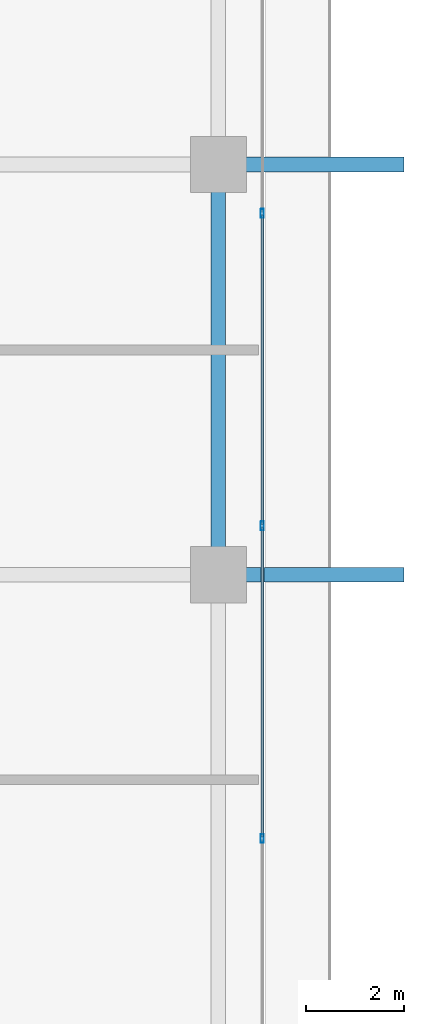
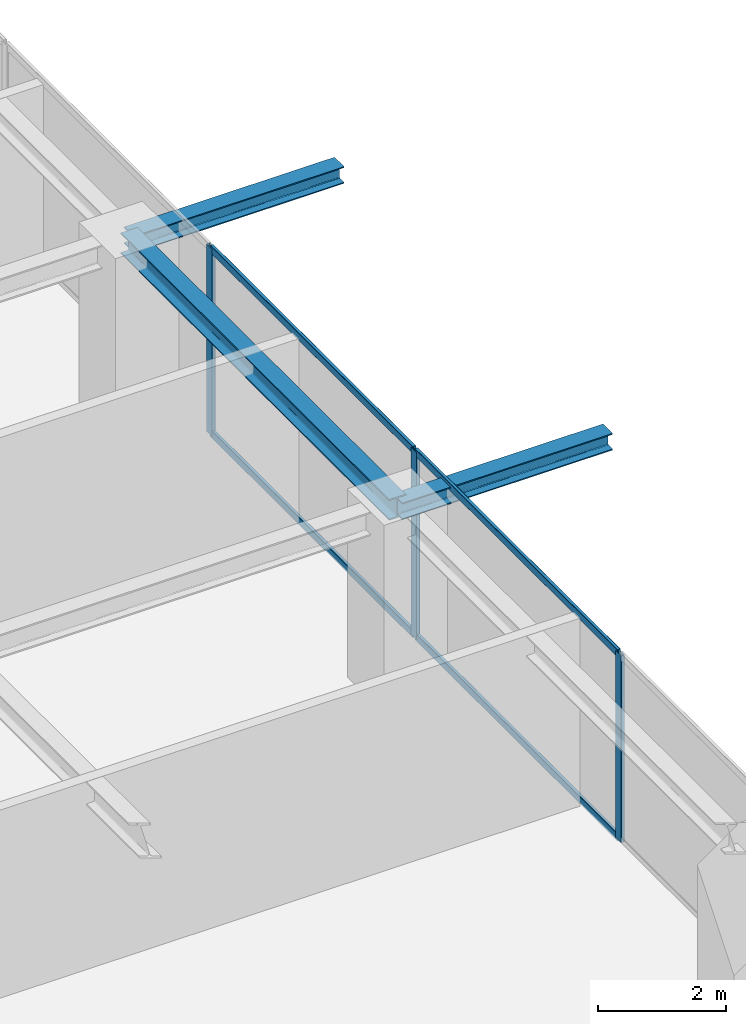
# One storey, part 16 of 36: 7 members, 3 beams, 1 element without a shape of its own.
"""IFC4 building model written with IfcOpenShell, lengths in metres."""

from ifc_helpers import new_model, si_unit, direction, frame, origin, origin_2d, place, context, subcontext, project, spatial, hollow_rectangle, i_section, extrude, source, transform, mapped, material, layer, layer_set, material_profile, profile_set, type_object, element, aggregate, save


model = new_model("IFC4")

# Units and contexts
model_context = context("Model", 3, precision=1e-05, world=origin(), true_north=direction((0.0, 1.0)))
body_context = subcontext(model_context, "Body", "Model", "MODEL_VIEW")
ifc_project = project(units=[si_unit("LENGTHUNIT", "METRE"), si_unit("AREAUNIT", "SQUARE_METRE"), si_unit("VOLUMEUNIT", "CUBIC_METRE"), si_unit("PLANEANGLEUNIT", "RADIAN"), si_unit("MASSUNIT", "GRAM", prefix="KILO")], contexts=[model_context])

# Site, building, storey
site_placement = place(None, origin())
site = spatial("IfcSite", under=ifc_project, at=site_placement, CompositionType="ELEMENT")
building_placement = place(site_placement, origin())
building = spatial("IfcBuilding", under=site, at=building_placement, Name="Serunith Strait Residences", CompositionType="ELEMENT")
storey_placement = place(building_placement, frame((0.0, 0.0, 272.050048828125)))
storey = spatial("IfcBuildingStorey", under=building, at=storey_placement, Name="L68", CompositionType="ELEMENT", Elevation=272.050048828125)

# Beams
ifc_material_1 = material(Name="Steel S355J2", Category="steel")
ifc_material_profile_1 = material_profile(ifc_material_1, i_section(OverallWidth=0.300048828125, OverallDepth=0.39990234375, WebThickness=0.013427734375, FlangeThickness=0.02392578125, FilletRadius=0.027099609375, at=origin_2d()), Name="HEB 400")
ifc_profile_set_1 = profile_set([ifc_material_profile_1], Name="Steel S355J2")
beam_type_1 = type_object("IfcBeamType", Name="BM-HEB400", PredefinedType="BEAM", material=ifc_profile_set_1)
shared_shape_1 = source(origin(), body_context, "Body", "SweptSolid", [
    extrude(i_section(OverallWidth=0.300048828125, OverallDepth=0.39990234375, WebThickness=0.013427734375, FlangeThickness=0.02392578125, FilletRadius=0.027099609375, at=origin_2d()), origin(), (0.0, 0.0, 1.0), 8.39990234375),
])
beam_placement = place(storey_placement, frame((56.5, 21.0, 3.386962890625), z_axis=(0.0, 1.0, 0.0), x_axis=(-1.0, 0.0, 0.0)))
element("IfcBeam", 1, at=beam_placement, inside=storey, type_object=beam_type_1, Name="L68 Perimeter Ring Beam 06", PredefinedType="BEAM", context=body_context, shape_type="MappedRepresentation", body=[
    mapped(shared_shape_1, transform((0.0, 0.0, 0.0), scale=1.0)),
])
ifc_material_profile_2 = material_profile(ifc_material_1, i_section(OverallWidth=0.300048828125, OverallDepth=0.320068359375, WebThickness=0.011474609375, FlangeThickness=0.0205078125, FilletRadius=0.027099609375, at=origin_2d()), Name="HEB 320")
ifc_profile_set_2 = profile_set([ifc_material_profile_2], Name="Steel S355J2")
beam_type_2 = type_object("IfcBeamType", Name="BM-HEB320", PredefinedType="BEAM", material=ifc_profile_set_2)
shared_shape_2 = source(origin(), body_context, "Body", "SweptSolid", [
    extrude(i_section(OverallWidth=0.300048828125, OverallDepth=0.320068359375, WebThickness=0.011474609375, FlangeThickness=0.0205078125, FilletRadius=0.027099609375, at=origin_2d()), origin(), (0.0, 0.0, 1.0), 3.800048828125),
])
for number, where, z_axis, x_axis, name in (
    (2, (56.5, 21.0, 3.39697265625), (1.0, 0.0, 0.0), (0.0, 1.0, 0.0), "L69 Cantilevered Balcony Rib TC-E2"),
    (3, (56.5, 29.39990234375, 3.39697265625), (1.0, 0.0, 0.0), (0.0, 1.0, 0.0), "L69 Cantilevered Balcony Rib TC-E3"),
):
    element("IfcBeam", number, at=place(storey_placement, frame(where, z_axis=z_axis, x_axis=x_axis)), inside=storey, type_object=beam_type_2, Name=name, PredefinedType="BEAM", context=body_context, shape_type="MappedRepresentation", body=[
        mapped(shared_shape_2, transform((0.0, 0.0, 0.0), scale=1.0)),
    ])

# Curtain wall, members
ifc_material_2 = material(Name="Pale-Champagne Anodised Aluminium", Category="aluminium")
ifc_layer = layer(ifc_material_2, 0.199951171875, Name="Pale-Champagne Anodised Aluminium")
ifc_layer_set = layer_set([ifc_layer], Name="Pale-Champagne Anodised Aluminium")
curtain_wall_type = type_object("IfcCurtainWallType", Name="CW-SYS4", PredefinedType="NOTDEFINED", material=ifc_layer_set)
curtain_wall_placement = place(storey_placement, origin())
curtain_wall = element("IfcCurtainWall", 4, at=curtain_wall_placement, inside=storey, type_object=curtain_wall_type, Name="L68 E Unitised Fritted Curtain Wall", PredefinedType="NOTDEFINED")
ifc_material_profile_3 = material_profile(ifc_material_2, hollow_rectangle(XDim=0.06494140625, YDim=0.179931640625, WallThickness=0.00341796875, InnerFilletRadius=0.00537109375, OuterFilletRadius=0.0087890625, at=origin_2d()), Name="ALU 180x65x3.5")
ifc_profile_set_3 = profile_set([ifc_material_profile_3], Name="Pale-Champagne Anodised Aluminium")
member_type_1 = type_object("IfcMemberType", Name="CW-SYS4-MULL", PredefinedType="MULLION", material=ifc_profile_set_3)
shared_shape_3 = source(origin(), body_context, "Body", "SweptSolid", [
    extrude(hollow_rectangle(XDim=0.06494140625, YDim=0.179931640625, WallThickness=0.00341796875, InnerFilletRadius=0.00537109375, OuterFilletRadius=0.0087890625, at=origin_2d()), origin(), (0.0, 0.0, 1.0), 3.574951171875),
])
member_1_placement = place(storey_placement, frame((57.39990234375, 15.60009765625, 0.0), z_axis=(0.0, 0.0, 1.0), x_axis=(-1.0, 0.0, 0.0)))
member_1 = element("IfcMember", 5, at=member_1_placement, type_object=member_type_1, Name="CW-4 mullion 2", PredefinedType="MULLION", context=body_context, shape_type="MappedRepresentation", body=[
    mapped(shared_shape_3, transform((0.0, 0.0, 0.0), scale=1.0)),
])
member_2_placement = place(storey_placement, frame((57.39990234375, 22.0, 0.0), z_axis=(0.0, 0.0, 1.0), x_axis=(-1.0, 0.0, 0.0)))
member_2 = element("IfcMember", 6, at=member_2_placement, type_object=member_type_1, Name="CW-4 mullion 3", PredefinedType="MULLION", context=body_context, shape_type="MappedRepresentation", body=[
    mapped(shared_shape_3, transform((0.0, 0.0, 0.0), scale=1.0)),
])
member_3_placement = place(storey_placement, frame((57.39990234375, 28.39990234375, 0.0), z_axis=(0.0, 0.0, 1.0), x_axis=(-1.0, 0.0, 0.0)))
member_3 = element("IfcMember", 7, at=member_3_placement, type_object=member_type_1, Name="CW-4 mullion 4", PredefinedType="MULLION", context=body_context, shape_type="MappedRepresentation", body=[
    mapped(shared_shape_3, transform((0.0, 0.0, 0.0), scale=1.0)),
])
ifc_material_profile_4 = material_profile(ifc_material_2, hollow_rectangle(XDim=0.06005859375, YDim=0.139892578125, WallThickness=0.00341796875, InnerFilletRadius=0.00537109375, OuterFilletRadius=0.0087890625, at=origin_2d()), Name="ALU 140x60x3.5")
ifc_profile_set_4 = profile_set([ifc_material_profile_4], Name="Pale-Champagne Anodised Aluminium")
member_type_2 = type_object("IfcMemberType", Name="CW-SYS4-TRAN", PredefinedType="USERDEFINED", material=ifc_profile_set_4)
shared_shape_4 = source(origin(), body_context, "Body", "SweptSolid", [
    extrude(hollow_rectangle(XDim=0.06005859375, YDim=0.139892578125, WallThickness=0.00341796875, InnerFilletRadius=0.00537109375, OuterFilletRadius=0.0087890625, at=origin_2d()), origin(), (0.0, 0.0, 1.0), 6.3349609375),
])
member_4_placement = place(storey_placement, frame((57.39990234375, 15.632568359375, 0.030029296875), z_axis=(0.0, 1.0, 0.0), x_axis=(-1.0, 0.0, 0.0)))
member_4 = element("IfcMember", 8, at=member_4_placement, type_object=member_type_2, Name="CW-4 transom 2.1", ObjectType="TRANSOM", PredefinedType="USERDEFINED", context=body_context, shape_type="MappedRepresentation", body=[
    mapped(shared_shape_4, transform((0.0, 0.0, 0.0), scale=1.0)),
])
member_5_placement = place(storey_placement, frame((57.39990234375, 15.632568359375, 3.544921875), z_axis=(0.0, 1.0, 0.0), x_axis=(-1.0, 0.0, 0.0)))
member_5 = element("IfcMember", 9, at=member_5_placement, type_object=member_type_2, Name="CW-4 transom 2.2", ObjectType="TRANSOM", PredefinedType="USERDEFINED", context=body_context, shape_type="MappedRepresentation", body=[
    mapped(shared_shape_4, transform((0.0, 0.0, 0.0), scale=1.0)),
])
member_6_placement = place(storey_placement, frame((57.39990234375, 22.032470703125, 0.030029296875), z_axis=(0.0, 1.0, 0.0), x_axis=(-1.0, 0.0, 0.0)))
member_6 = element("IfcMember", 10, at=member_6_placement, type_object=member_type_2, Name="CW-4 transom 3.1", ObjectType="TRANSOM", PredefinedType="USERDEFINED", context=body_context, shape_type="MappedRepresentation", body=[
    mapped(shared_shape_4, transform((0.0, 0.0, 0.0), scale=1.0)),
])
member_7_placement = place(storey_placement, frame((57.39990234375, 22.032470703125, 3.544921875), z_axis=(0.0, 1.0, 0.0), x_axis=(-1.0, 0.0, 0.0)))
member_7 = element("IfcMember", 11, at=member_7_placement, type_object=member_type_2, Name="CW-4 transom 3.2", ObjectType="TRANSOM", PredefinedType="USERDEFINED", context=body_context, shape_type="MappedRepresentation", body=[
    mapped(shared_shape_4, transform((0.0, 0.0, 0.0), scale=1.0)),
])
aggregate(curtain_wall, [member_1, member_2, member_3, member_4, member_5, member_6, member_7])

save(model, "model.ifc")
